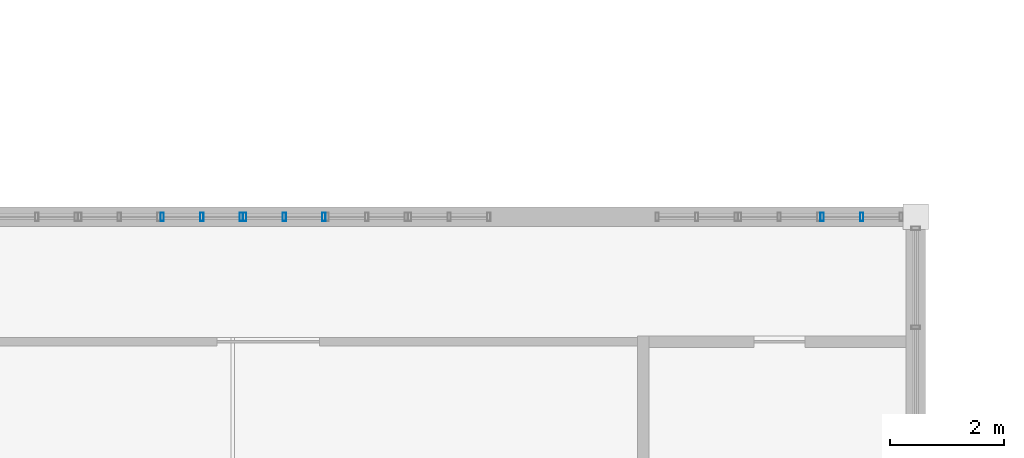
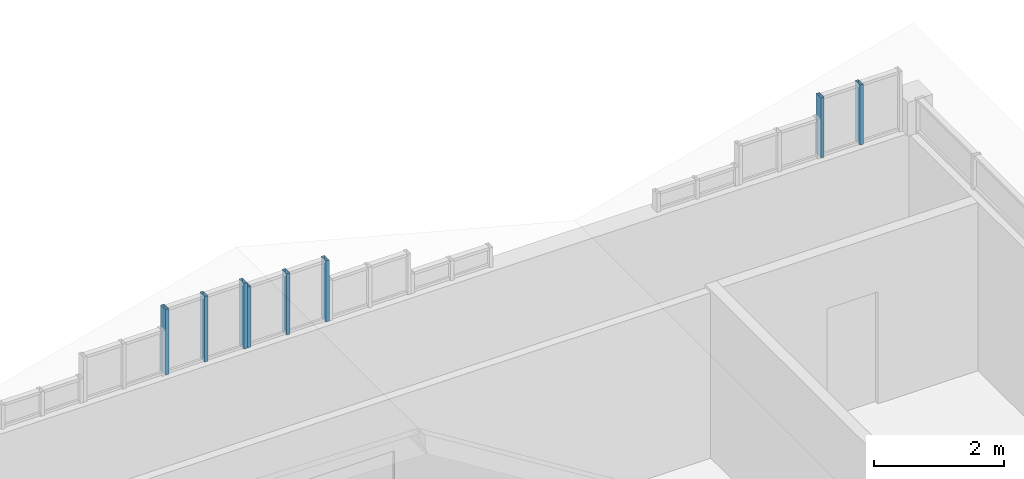
# One storey, part 27 of 92: 8 members, 3 elements without a shape of their own.
"""IFC4 building model written with IfcOpenShell, lengths in metres."""

from ifc_helpers import new_model, si_unit, direction, frame, origin, origin_2d, place, context, subcontext, project, spatial, hollow_rectangle, extrude, material, material_profile, profile_set, type_object, element, aggregate, save


model = new_model("IFC4")

# Units and contexts
model_context = context("Model", 3, precision=1e-05, world=origin(), true_north=direction((0.0, 1.0)))
body_context = subcontext(model_context, "Body", "Model", "MODEL_VIEW")
ifc_project = project(units=[si_unit("LENGTHUNIT", "METRE"), si_unit("AREAUNIT", "SQUARE_METRE"), si_unit("VOLUMEUNIT", "CUBIC_METRE"), si_unit("PLANEANGLEUNIT", "RADIAN"), si_unit("MASSUNIT", "GRAM", prefix="KILO")], contexts=[model_context])

# Site, building, storey
site_placement = place(None, origin())
site = spatial("IfcSite", under=ifc_project, at=site_placement, CompositionType="ELEMENT")
building_placement = place(site_placement, origin())
building = spatial("IfcBuilding", under=site, at=building_placement, Name="Laocheng Heights Fire and Rescue Headquarters", CompositionType="ELEMENT")
storey_placement = place(building_placement, frame((0.0, 0.0, 12.60009765625)))
storey = spatial("IfcBuildingStorey", under=building, at=storey_placement, Name="L03", CompositionType="ELEMENT", Elevation=12.60009765625)

# Curtain wall, members
ifc_material_1 = material(Name="Dark anodised aluminium unitised curtain wall, low-e double glazing", Category="aluminium")
curtain_wall_type_1 = type_object("IfcCurtainWallType", Name="CW 1452 x 1228 THEATRE GABLE UNIT", PredefinedType="NOTDEFINED", material=ifc_material_1)
curtain_wall_1_placement = place(storey_placement, origin())
curtain_wall_1 = element("IfcCurtainWall", 1, at=curtain_wall_1_placement, inside=storey, type_object=curtain_wall_type_1, Name="X8-V THEATRE NORTH GABLE 4", PredefinedType="NOTDEFINED")
ifc_material_2 = material(Name="Dark anodised aluminium 6063-T5 extrusion", Category="aluminium")
ifc_material_profile = material_profile(ifc_material_2, hollow_rectangle(XDim=0.14990234375, YDim=0.06005859375, WallThickness=0.0029296875, at=origin_2d()), Name="AL MULLION 150x60x3 THEATRE GABLE UNIT")
ifc_profile_set = profile_set([ifc_material_profile], Name="Dark anodised aluminium 6063-T5 extrusion")
member_type = type_object("IfcMemberType", Name="AL MULLION 150x60x3 THEATRE GABLE UNIT", PredefinedType="MULLION", material=ifc_profile_set)
member_1_placement = place(storey_placement, frame((16.736083984375, 57.60009765625, 3.158447265625), z_axis=(0.0, 0.0, 1.0), x_axis=(0.0, 1.0, 0.0)))
member_1 = element("IfcMember", 2, at=member_1_placement, type_object=member_type, Name="X8-V mullion 1", PredefinedType="MULLION", context=body_context, shape_type="SweptSolid", body=[
    extrude(hollow_rectangle(XDim=0.14990234375, YDim=0.06005859375, WallThickness=0.0029296875, at=origin_2d()), origin(), (0.0, 0.0, 1.0), 1.227783203125),
])
member_2_placement = place(storey_placement, frame((17.43212890625, 57.60009765625, 3.158447265625), z_axis=(0.0, 0.0, 1.0), x_axis=(0.0, 1.0, 0.0)))
member_2 = element("IfcMember", 3, at=member_2_placement, type_object=member_type, Name="X8-V mullion 2", PredefinedType="MULLION", context=body_context, shape_type="SweptSolid", body=[
    extrude(hollow_rectangle(XDim=0.14990234375, YDim=0.06005859375, WallThickness=0.0029296875, at=origin_2d()), origin(), (0.0, 0.0, 1.0), 1.227783203125),
])
member_3_placement = place(storey_placement, frame((18.12841796875, 57.60009765625, 3.158447265625), z_axis=(0.0, 0.0, 1.0), x_axis=(0.0, 1.0, 0.0)))
member_3 = element("IfcMember", 4, at=member_3_placement, type_object=member_type, Name="X8-V mullion 3", PredefinedType="MULLION", context=body_context, shape_type="SweptSolid", body=[
    extrude(hollow_rectangle(XDim=0.14990234375, YDim=0.06005859375, WallThickness=0.0029296875, at=origin_2d()), origin(), (0.0, 0.0, 1.0), 1.227783203125),
])
aggregate(curtain_wall_1, [member_1, member_2, member_3])

ifc_material_3 = material(Name="Dark anodised aluminium unitised curtain wall, low-e double glazing", Category="aluminium")
curtain_wall_type_2 = type_object("IfcCurtainWallType", Name="CW 1452 x 1143 THEATRE GABLE UNIT", PredefinedType="NOTDEFINED", material=ifc_material_3)
curtain_wall_2_placement = place(storey_placement, origin())
curtain_wall_2 = element("IfcCurtainWall", 5, at=curtain_wall_2_placement, inside=storey, type_object=curtain_wall_type_2, Name="X9-V THEATRE NORTH GABLE 5", PredefinedType="NOTDEFINED")
member_4_placement = place(storey_placement, frame((18.188232421875, 57.60009765625, 3.158447265625), z_axis=(0.0, 0.0, 1.0), x_axis=(0.0, 1.0, 0.0)))
member_4 = element("IfcMember", 6, at=member_4_placement, type_object=member_type, Name="X9-V mullion 1", PredefinedType="MULLION", context=body_context, shape_type="SweptSolid", body=[
    extrude(hollow_rectangle(XDim=0.14990234375, YDim=0.06005859375, WallThickness=0.0029296875, at=origin_2d()), origin(), (0.0, 0.0, 1.0), 1.143310546875),
])
member_5_placement = place(storey_placement, frame((18.88427734375, 57.60009765625, 3.158447265625), z_axis=(0.0, 0.0, 1.0), x_axis=(0.0, 1.0, 0.0)))
member_5 = element("IfcMember", 7, at=member_5_placement, type_object=member_type, Name="X9-V mullion 2", PredefinedType="MULLION", context=body_context, shape_type="SweptSolid", body=[
    extrude(hollow_rectangle(XDim=0.14990234375, YDim=0.06005859375, WallThickness=0.0029296875, at=origin_2d()), origin(), (0.0, 0.0, 1.0), 1.143310546875),
])
member_6_placement = place(storey_placement, frame((19.580322265625, 57.60009765625, 3.158447265625), z_axis=(0.0, 0.0, 1.0), x_axis=(0.0, 1.0, 0.0)))
member_6 = element("IfcMember", 8, at=member_6_placement, type_object=member_type, Name="X9-V mullion 3", PredefinedType="MULLION", context=body_context, shape_type="SweptSolid", body=[
    extrude(hollow_rectangle(XDim=0.14990234375, YDim=0.06005859375, WallThickness=0.0029296875, at=origin_2d()), origin(), (0.0, 0.0, 1.0), 1.143310546875),
])
aggregate(curtain_wall_2, [member_4, member_5, member_6])

ifc_material_4 = material(Name="Dark anodised aluminium unitised curtain wall, low-e double glazing", Category="aluminium")
curtain_wall_type_3 = type_object("IfcCurtainWallType", Name="CW 1452 x 1126 THEATRE GABLE UNIT", PredefinedType="NOTDEFINED", material=ifc_material_4)
curtain_wall_3_placement = place(storey_placement, origin())
curtain_wall_3 = element("IfcCurtainWall", 9, at=curtain_wall_3_placement, inside=storey, type_object=curtain_wall_type_3, Name="X14-V THEATRE NORTH GABLE 12", PredefinedType="NOTDEFINED")
member_7_placement = place(storey_placement, frame((28.352783203125, 57.60009765625, 3.158447265625), z_axis=(0.0, 0.0, 1.0), x_axis=(0.0, 1.0, 0.0)))
member_7 = element("IfcMember", 10, at=member_7_placement, type_object=member_type, Name="X14-V mullion 1", PredefinedType="MULLION", context=body_context, shape_type="SweptSolid", body=[
    extrude(hollow_rectangle(XDim=0.14990234375, YDim=0.06005859375, WallThickness=0.0029296875, at=origin_2d()), origin(), (0.0, 0.0, 1.0), 1.12548828125),
])
member_8_placement = place(storey_placement, frame((29.048828125, 57.60009765625, 3.158447265625), z_axis=(0.0, 0.0, 1.0), x_axis=(0.0, 1.0, 0.0)))
member_8 = element("IfcMember", 11, at=member_8_placement, type_object=member_type, Name="X14-V mullion 2", PredefinedType="MULLION", context=body_context, shape_type="SweptSolid", body=[
    extrude(hollow_rectangle(XDim=0.14990234375, YDim=0.06005859375, WallThickness=0.0029296875, at=origin_2d()), origin(), (0.0, 0.0, 1.0), 1.12548828125),
])
aggregate(curtain_wall_3, [member_7, member_8])

save(model, "model.ifc")
